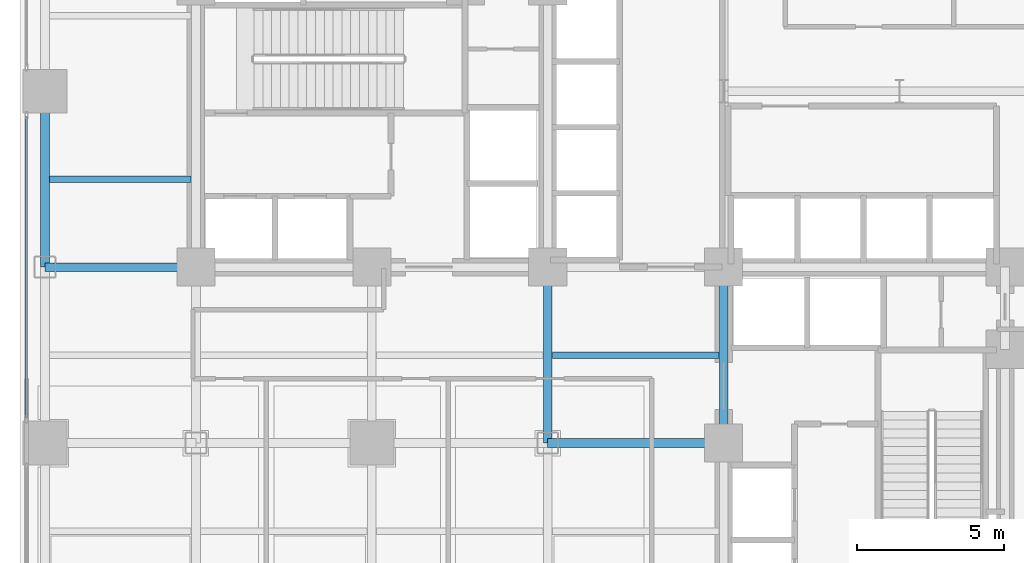
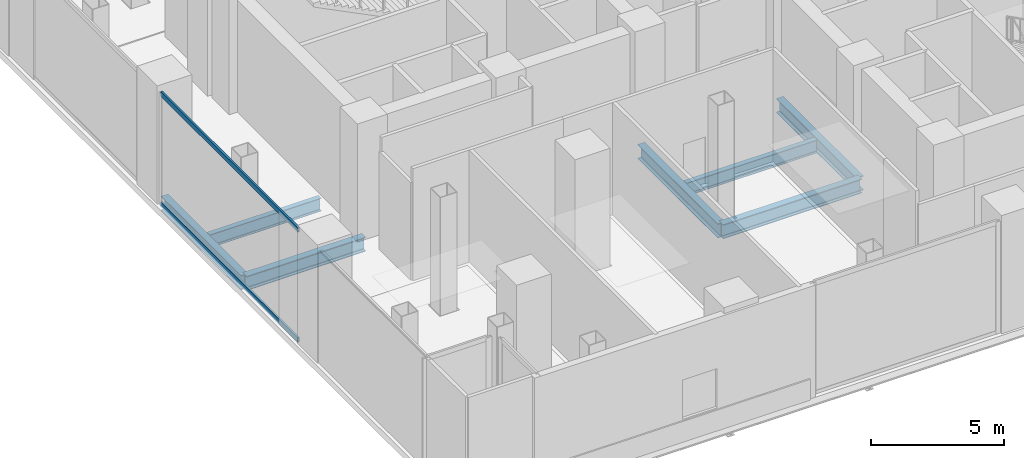
# One storey, part 6 of 27: 7 beams, 2 members, 1 element without a shape of its own.
"""IFC4 building model written with IfcOpenShell, lengths in metres."""

from ifc_helpers import new_model, si_unit, direction, frame, origin, origin_2d, place, context, subcontext, project, spatial, hollow_rectangle, i_section, extrude, material, layer, layer_set, material_profile, profile_set, type_object, element, aggregate, save


model = new_model("IFC4")

# Units and contexts
model_context = context("Model", 3, precision=1e-05, world=origin(), true_north=direction((0.0, 1.0)))
body_context = subcontext(model_context, "Body", "Model", "MODEL_VIEW")
ifc_project = project(units=[si_unit("LENGTHUNIT", "METRE"), si_unit("AREAUNIT", "SQUARE_METRE"), si_unit("VOLUMEUNIT", "CUBIC_METRE"), si_unit("PLANEANGLEUNIT", "RADIAN"), si_unit("MASSUNIT", "GRAM", prefix="KILO"), si_unit("THERMODYNAMICTEMPERATUREUNIT", "KELVIN"), si_unit("POWERUNIT", "WATT")], contexts=[model_context])

# Site, building, storey
site_placement = place(None, origin())
site = spatial("IfcSite", under=ifc_project, at=site_placement, CompositionType="ELEMENT")
building_placement = place(site_placement, origin())
building = spatial("IfcBuilding", under=site, at=building_placement, Name="Svarakhadi Broadcast Tower", CompositionType="ELEMENT")
storey_placement = place(building_placement, frame((0.0, 0.0, 16.5)))
storey = spatial("IfcBuildingStorey", under=building, at=storey_placement, Name="L03", CompositionType="ELEMENT", Elevation=16.5)

# Beams
ifc_material_1 = material(Name="Steel S355J2 (IS 2062 E350C)", Category="steel")
ifc_material_profile_1 = material_profile(ifc_material_1, i_section(OverallWidth=0.219970703125, OverallDepth=0.60009765625, WebThickness=0.011962890625, FlangeThickness=0.01904296875, FilletRadius=0.02392578125, at=origin_2d()), Name="NPB 600x220x122")
ifc_profile_set_1 = profile_set([ifc_material_profile_1], Name="Steel S355J2 (IS 2062 E350C)")
beam_type_1 = type_object("IfcBeamType", Name="Beam_NPB600", PredefinedType="BEAM", material=ifc_profile_set_1)
beam_1_placement = place(storey_placement, frame((1.010009765625, 21.0, -0.60009765625), z_axis=(1.0, 0.0, 0.0), x_axis=(0.0, 1.0, 0.0)))
element("IfcBeam", 1, at=beam_1_placement, inside=storey, type_object=beam_type_1, Name="L03 Secondary Composite Beam SB003", PredefinedType="BEAM", context=body_context, shape_type="SweptSolid", body=[
    extrude(i_section(OverallWidth=0.219970703125, OverallDepth=0.60009765625, WebThickness=0.011962890625, FlangeThickness=0.01904296875, FilletRadius=0.02392578125, at=origin_2d()), origin(), (0.0, 0.0, 1.0), 4.830078125),
])
beam_2_placement = place(storey_placement, frame((18.159912109375, 15.0, -0.60009765625), z_axis=(1.0, 0.0, 0.0), x_axis=(0.0, 1.0, 0.0)))
element("IfcBeam", 2, at=beam_2_placement, inside=storey, type_object=beam_type_1, Name="L03 Secondary Composite Beam SB015", PredefinedType="BEAM", context=body_context, shape_type="SweptSolid", body=[
    extrude(i_section(OverallWidth=0.219970703125, OverallDepth=0.60009765625, WebThickness=0.011962890625, FlangeThickness=0.01904296875, FilletRadius=0.02392578125, at=origin_2d()), origin(), (0.0, 0.0, 1.0), 5.68017578125),
])

# Curtain wall, members
ifc_material_2 = material(Name="Anodised Bronze Aluminium AA 6063-T6", Category="aluminium")
ifc_layer = layer(ifc_material_2, 0.25)
ifc_layer_set = layer_set([ifc_layer], Name="Anodised Bronze Aluminium AA 6063-T6")
curtain_wall_type = type_object("IfcCurtainWallType", Name="CW_Sys_01", PredefinedType="NOTDEFINED", material=ifc_layer_set)
curtain_wall_placement = place(storey_placement, origin())
curtain_wall = element("IfcCurtainWall", 3, at=curtain_wall_placement, inside=storey, type_object=curtain_wall_type, Name="L03 Unitised Facade Curtain Wall 02 Bay 2", PredefinedType="NOTDEFINED")
ifc_material_profile_2 = material_profile(ifc_material_2, hollow_rectangle(XDim=0.0849609375, YDim=0.219970703125, WallThickness=0.0048828125, at=origin_2d()), Name="ALU TRANSOM 220x85x5")
ifc_profile_set_2 = profile_set([ifc_material_profile_2], Name="Anodised Bronze Aluminium AA 6063-T6")
member_type = type_object("IfcMemberType", Name="CW_Sys_01_Trn", PredefinedType="USERDEFINED", material=ifc_profile_set_2)
member_1_placement = place(storey_placement, frame((0.219970703125, 12.864990234375, 0.04248046875), z_axis=(0.0, 1.0, 0.0), x_axis=(-1.0, 0.0, 0.0)))
member_1 = element("IfcMember", 4, at=member_1_placement, type_object=member_type, Name="CW-01 transom 1.1", ObjectType="TRANSOM", PredefinedType="USERDEFINED", context=body_context, shape_type="SweptSolid", body=[
    extrude(hollow_rectangle(XDim=0.0849609375, YDim=0.219970703125, WallThickness=0.0048828125, at=origin_2d()), origin(), (0.0, 0.0, 1.0), 10.27001953125),
])
member_2_placement = place(storey_placement, frame((0.219970703125, 12.864990234375, 5.08251953125), z_axis=(0.0, 1.0, 0.0), x_axis=(-1.0, 0.0, 0.0)))
member_2 = element("IfcMember", 5, at=member_2_placement, type_object=member_type, Name="CW-01 transom 1.2", ObjectType="TRANSOM", PredefinedType="USERDEFINED", context=body_context, shape_type="SweptSolid", body=[
    extrude(hollow_rectangle(XDim=0.0849609375, YDim=0.219970703125, WallThickness=0.0048828125, at=origin_2d()), origin(), (0.0, 0.0, 1.0), 10.27001953125),
])
aggregate(curtain_wall, [member_1, member_2])

# Beams
ifc_material_profile_3 = material_profile(ifc_material_1, i_section(OverallWidth=0.300048828125, OverallDepth=0.64990234375, WebThickness=0.01611328125, FlangeThickness=0.031005859375, FilletRadius=0.027099609375, at=origin_2d()), Name="WPB 650x300x225")
ifc_profile_set_3 = profile_set([ifc_material_profile_3], Name="Steel S355J2 (IS 2062 E350C)")
beam_type_2 = type_object("IfcBeamType", Name="Girder_WPB650", PredefinedType="USERDEFINED", material=ifc_profile_set_3)
beam_3_placement = place(storey_placement, frame((18.0, 12.0, -0.625), z_axis=(1.0, 0.0, 0.0), x_axis=(0.0, 1.0, 0.0)))
element("IfcBeam", 6, at=beam_3_placement, inside=storey, type_object=beam_type_2, Name="L03 Primary E-W Girder G017", ObjectType="GIRDER", PredefinedType="USERDEFINED", context=body_context, shape_type="SweptSolid", body=[
    extrude(i_section(OverallWidth=0.300048828125, OverallDepth=0.64990234375, WebThickness=0.01611328125, FlangeThickness=0.031005859375, FilletRadius=0.027099609375, at=origin_2d()), origin(), (0.0, 0.0, 1.0), 6.0),
])
beam_4_placement = place(storey_placement, frame((0.85009765625, 18.0, -0.625), z_axis=(1.0, 0.0, 0.0), x_axis=(0.0, 1.0, 0.0)))
element("IfcBeam", 7, at=beam_4_placement, inside=storey, type_object=beam_type_2, Name="L03 Primary E-W Girder G020", ObjectType="GIRDER", PredefinedType="USERDEFINED", context=body_context, shape_type="SweptSolid", body=[
    extrude(i_section(OverallWidth=0.300048828125, OverallDepth=0.64990234375, WebThickness=0.01611328125, FlangeThickness=0.031005859375, FilletRadius=0.027099609375, at=origin_2d()), origin(), (0.0, 0.0, 1.0), 5.14990234375),
])
for number, where, z_axis, x_axis, name in (
    (8, (0.85009765625, 18.0, -0.625), (0.0, 1.0, 0.0), (-1.0, 0.0, 0.0), "L03 Primary N-S Girder G046"),
    (9, (18.0, 12.0, -0.625), (0.0, 1.0, 0.0), (-1.0, 0.0, 0.0), "L03 Primary N-S Girder G060"),
    (10, (24.0, 12.0, -0.625), (0.0, 1.0, 0.0), (-1.0, 0.0, 0.0), "L03 Primary N-S Girder G066"),
):
    element("IfcBeam", number, at=place(storey_placement, frame(where, z_axis=z_axis, x_axis=x_axis)), inside=storey, type_object=beam_type_2, Name=name, ObjectType="GIRDER", PredefinedType="USERDEFINED", context=body_context, shape_type="SweptSolid", body=[
        extrude(i_section(OverallWidth=0.300048828125, OverallDepth=0.64990234375, WebThickness=0.01611328125, FlangeThickness=0.031005859375, FilletRadius=0.027099609375, at=origin_2d()), origin(), (0.0, 0.0, 1.0), 6.0),
    ])

save(model, "model.ifc")
